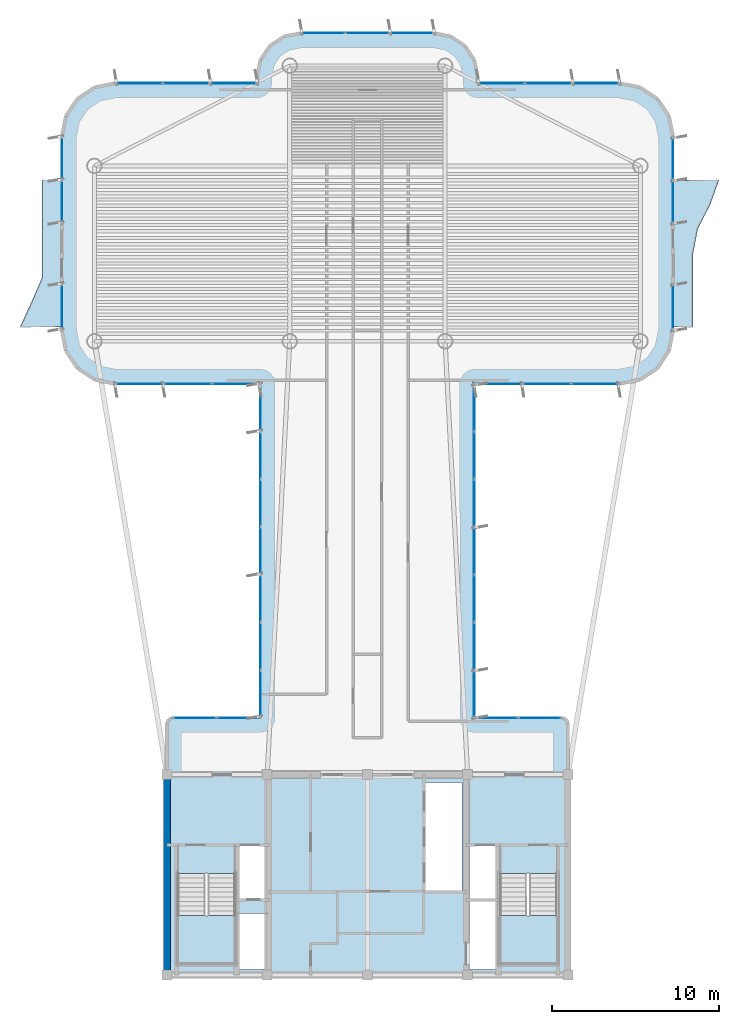
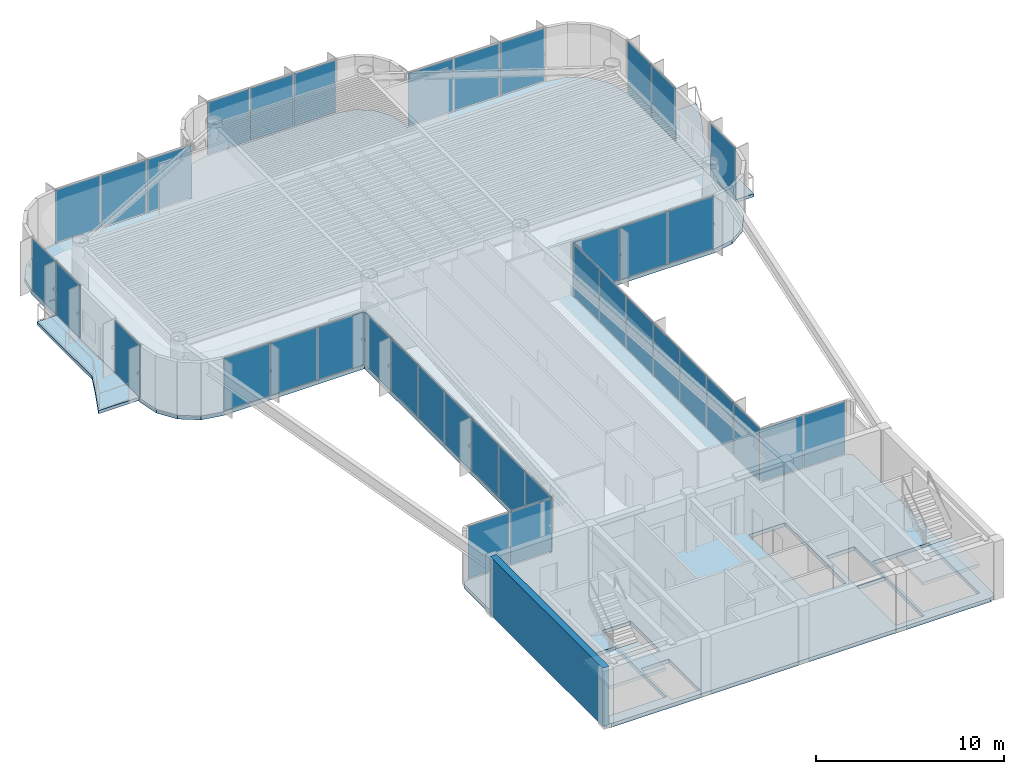
# One storey, part 9 of 14: 39 plates, 5 slabs, 1 wall, 15 elements without a shape of their own.
"""IFC4 building model written with IfcOpenShell, lengths in metres."""

from ifc_helpers import new_model, si_unit, direction, frame, frame_2d, origin, origin_2d, place, context, subcontext, project, spatial, polyline, rectangle, outline, extrude, source, transform, mapped, material, layer, layer_set, type_object, element, aggregate, save


model = new_model("IFC4")

# Units and contexts
model_context = context("Model", 3, precision=1e-05, world=origin(), true_north=direction((0.0, 1.0)))
body_context = subcontext(model_context, "Body", "Model", "MODEL_VIEW")
ifc_project = project(units=[si_unit("LENGTHUNIT", "METRE"), si_unit("AREAUNIT", "SQUARE_METRE"), si_unit("VOLUMEUNIT", "CUBIC_METRE"), si_unit("PLANEANGLEUNIT", "RADIAN"), si_unit("MASSUNIT", "GRAM", prefix="KILO")], contexts=[model_context])

# Site, building, storey
site_placement = place(None, origin())
site = spatial("IfcSite", under=ifc_project, at=site_placement, CompositionType="ELEMENT")
building_placement = place(site_placement, origin())
building = spatial("IfcBuilding", under=site, at=building_placement, Name="Brelvock Crest Care Tower", CompositionType="ELEMENT")
storey_placement = place(building_placement, frame((0.0, 0.0, 253.260009765625)))
storey = spatial("IfcBuildingStorey", under=building, at=storey_placement, Name="L64", CompositionType="ELEMENT", Elevation=253.260009765625)

# Slabs
ifc_material_1 = material(Name="Concrete N50 (50 MPa)", Category="concrete")
ifc_layer_1 = layer(ifc_material_1, 0.25, Name="SLB-FL3")
ifc_layer_set_1 = layer_set([ifc_layer_1], Name="Concrete N50 (50 MPa)")
slab_type_1 = type_object("IfcSlabType", Name="SLB-FL3", PredefinedType="FLOOR", material=ifc_layer_set_1)
slab_1_placement = place(storey_placement, frame((0.0, 0.0, -0.25)))
element("IfcSlab", 1, at=slab_1_placement, inside=storey, type_object=slab_type_1, Name="L64 Main Structural Slab", PredefinedType="FLOOR", context=body_context, shape_type="SweptSolid", body=[
    extrude(outline(polyline([(47.64990234375, 21.39990234375), (42.39990234375, 21.39990234375), (42.39990234375, 41.39990234375), (51.10009765625, 41.39990234375), (52.32470703125, 41.6435546875), (53.36279296875, 42.33740234375), (54.056396484375, 43.37548828125), (54.300048828125, 44.60009765625), (54.300048828125, 56.199951171875), (54.056396484375, 57.424560546875), (53.36279296875, 58.462646484375), (52.32470703125, 59.156494140625), (51.10009765625, 59.39990234375), (42.60009765625, 59.39990234375), (42.60009765625, 59.800048828125), (42.402099609375, 60.794921875), (41.83837890625, 61.638427734375), (40.9951171875, 62.2021484375), (40.0, 62.39990234375), (32.0, 62.39990234375), (31.0048828125, 62.2021484375), (30.16162109375, 61.638427734375), (29.597900390625, 60.794921875), (29.39990234375, 59.800048828125), (29.39990234375, 59.39990234375), (20.89990234375, 59.39990234375), (19.67529296875, 59.156494140625), (18.63720703125, 58.462646484375), (17.943603515625, 57.424560546875), (17.699951171875, 56.199951171875), (17.699951171875, 44.60009765625), (17.943603515625, 43.37548828125), (18.63720703125, 42.33740234375), (19.67529296875, 41.6435546875), (20.89990234375, 41.39990234375), (29.60009765625, 41.39990234375), (29.60009765625, 21.39990234375), (24.35009765625, 21.39990234375), (24.1025390625, 21.297607421875), (24.0, 21.050048828125), (24.0, 6.35009765625), (24.1025390625, 6.1025390625), (24.35009765625, 6.0), (47.64990234375, 6.0), (47.8974609375, 6.1025390625), (48.0, 6.35009765625), (48.0, 21.050048828125), (47.8974609375, 21.297607421875), (47.64990234375, 21.39990234375)]), holes=[polyline([(28.239990234375, 10.580078125), (29.97998046875, 10.580078125), (29.97998046875, 13.739990234375), (28.239990234375, 13.739990234375), (28.239990234375, 10.580078125)]), polyline([(42.02001953125, 10.580078125), (43.760009765625, 10.580078125), (43.760009765625, 13.739990234375), (42.02001953125, 13.739990234375), (42.02001953125, 10.580078125)]), polyline([(28.239990234375, 6.340087890625), (29.97998046875, 6.340087890625), (29.97998046875, 9.64990234375), (28.239990234375, 9.64990234375), (28.239990234375, 6.340087890625)]), polyline([(24.6298828125, 12.080078125), (24.6298828125, 6.699951171875), (28.110107421875, 6.699951171875), (28.110107421875, 12.080078125), (24.6298828125, 12.080078125)]), polyline([(43.889892578125, 12.080078125), (43.889892578125, 6.699951171875), (47.3701171875, 6.699951171875), (47.3701171875, 12.080078125), (43.889892578125, 12.080078125)]), polyline([(42.02001953125, 6.340087890625), (43.760009765625, 6.340087890625), (43.760009765625, 10.5), (42.02001953125, 10.5), (42.02001953125, 6.340087890625)]), polyline([(39.429931640625, 11.030029296875), (41.669921875, 11.030029296875), (41.669921875, 17.52001953125), (39.429931640625, 17.52001953125), (39.429931640625, 11.030029296875)])]), origin(), (0.0, 0.0, 1.0), 0.25),
])
ifc_layer_2 = layer(ifc_material_1, 0.199951171875, Name="SLB-WB2")
ifc_layer_set_2 = layer_set([ifc_layer_2], Name="Concrete N50 (50 MPa)")
slab_type_2 = type_object("IfcSlabType", Name="SLB-WB2", PredefinedType="FLOOR", material=ifc_layer_set_2)
slab_2_placement = place(storey_placement, frame((0.0, 0.0, -0.199951171875)))
element("IfcSlab", 2, at=slab_2_placement, inside=storey, type_object=slab_type_2, Name="L64 W Sinusoidal Wave Balcony Slab", PredefinedType="FLOOR", context=body_context, shape_type="SweptSolid", body=[
    extrude(outline(polyline([(17.699951171875, 53.60009765625), (16.5, 53.60009765625), (16.5, 52.13330078125), (16.5, 50.666748046875), (16.5, 49.199951171875), (16.5, 47.7333984375), (15.869384765625, 46.2666015625), (15.1953125, 44.800048828125), (17.699951171875, 44.800048828125), (17.699951171875, 53.60009765625)])), origin(), (0.0, 0.0, 1.0), 0.199951171875),
])
slab_3_placement = place(storey_placement, frame((0.0, 0.0, -0.199951171875)))
element("IfcSlab", 3, at=slab_3_placement, inside=storey, type_object=slab_type_2, Name="L64 E Sinusoidal Wave Balcony Slab", PredefinedType="FLOOR", context=body_context, shape_type="SweptSolid", body=[
    extrude(outline(polyline([(54.300048828125, 44.800048828125), (55.5, 44.800048828125), (55.5, 46.2666015625), (55.5, 47.7333984375), (55.5, 49.199951171875), (55.779296875, 50.666748046875), (56.52490234375, 52.13330078125), (57.052978515625, 53.60009765625), (54.300048828125, 53.60009765625), (54.300048828125, 44.800048828125)])), origin(), (0.0, 0.0, 1.0), 0.199951171875),
])

# Stair, slab
ifc_material_2 = material(Name="Concrete N40 (40 MPa)", Category="concrete")
stair_type = type_object("IfcStairType", Name="ST-CORE1", PredefinedType="HALF_TURN_STAIR", material=ifc_material_2)
stair_1_placement = place(storey_placement, origin())
stair_1 = element("IfcStair", 4, at=stair_1_placement, inside=storey, type_object=stair_type, Name="L64 Fire-Isolated Core Stair ST-1", PredefinedType="HALF_TURN_STAIR")
ifc_layer_3 = layer(ifc_material_2, 0.199951171875, Name="STL-1")
ifc_layer_set_3 = layer_set([ifc_layer_3], Name="Concrete N40 (40 MPa)")
slab_type_3 = type_object("IfcSlabType", Name="STL-1", PredefinedType="LANDING", material=ifc_layer_set_3)
slab_4_placement = place(storey_placement, frame((0.0, 0.0, 1.68994140625)))
slab_4 = element("IfcSlab", 5, at=slab_4_placement, type_object=slab_type_3, Name="ST-1 landing 1", PredefinedType="LANDING", context=body_context, shape_type="SweptSolid", body=[
    extrude(outline(polyline([(24.6298828125, 9.56005859375), (24.6298828125, 6.699951171875), (28.110107421875, 6.699951171875), (28.110107421875, 9.56005859375), (24.6298828125, 9.56005859375)])), origin(), (0.0, 0.0, 1.0), 0.199951171875),
])
aggregate(stair_1, [slab_4])

stair_2_placement = place(storey_placement, origin())
stair_2 = element("IfcStair", 6, at=stair_2_placement, inside=storey, type_object=stair_type, Name="L64 Fire-Isolated Core Stair ST-2", PredefinedType="HALF_TURN_STAIR")
slab_5_placement = place(storey_placement, frame((0.0, 0.0, 1.68994140625)))
slab_5 = element("IfcSlab", 7, at=slab_5_placement, type_object=slab_type_3, Name="ST-2 landing 1", PredefinedType="LANDING", context=body_context, shape_type="SweptSolid", body=[
    extrude(outline(polyline([(43.889892578125, 9.56005859375), (43.889892578125, 6.699951171875), (47.3701171875, 6.699951171875), (47.3701171875, 9.56005859375), (43.889892578125, 9.56005859375)])), origin(), (0.0, 0.0, 1.0), 0.199951171875),
])
aggregate(stair_2, [slab_5])

# Curtain wall, plates
ifc_material_3 = material(Name="Dark Glass Double Glazed Low-E", Category="glass")
ifc_layer_4 = layer(ifc_material_3, 0.239990234375, Name="CWS-5")
ifc_layer_set_4 = layer_set([ifc_layer_4], Name="Dark Glass Double Glazed Low-E")
curtain_wall_type = type_object("IfcCurtainWallType", Name="CWS-5", PredefinedType="NOTDEFINED", material=ifc_layer_set_4)
curtain_wall_1_placement = place(storey_placement, origin())
curtain_wall_1 = element("IfcCurtainWall", 8, at=curtain_wall_1_placement, inside=storey, type_object=curtain_wall_type, Name="L64 Curtain Wall E10", PredefinedType="NOTDEFINED")
ifc_layer_5 = layer(ifc_material_3, 0.0380859375, Name="CWP-V2")
ifc_layer_set_5 = layer_set([ifc_layer_5], Name="Dark Glass Double Glazed Low-E")
plate_type = type_object("IfcPlateType", Name="CWP-V2", PredefinedType="CURTAIN_PANEL", material=ifc_layer_set_5)
shared_shape_1 = source(origin(), body_context, "Body", "SweptSolid", [
    extrude(rectangle(XDim=2.534912109375, YDim=0.035888671875, at=origin_2d()), origin(), (0.0, 0.0, 1.0), 3.409912109375),
])
plate_1_placement = place(storey_placement, frame((25.677490234375, 21.39990234375, 0.06005859375), z_axis=(0.0, 0.0, 1.0), x_axis=(1.0, 0.0, 0.0)))
plate_1 = element("IfcPlate", 9, at=plate_1_placement, type_object=plate_type, Name="CW-5 panel 1.1", PredefinedType="CURTAIN_PANEL", context=body_context, shape_type="MappedRepresentation", body=[
    mapped(shared_shape_1, transform((0.0, 0.0, 0.0), x_axis=(1.0, 0.0, 0.0), y_axis=(0.0, 1.0, 0.0), z_axis=(0.0, 0.0, 1.0), scale=1.0)),
])
plate_2_placement = place(storey_placement, frame((28.2724609375, 21.39990234375, 0.06005859375), z_axis=(0.0, 0.0, 1.0), x_axis=(1.0, 0.0, 0.0)))
plate_2 = element("IfcPlate", 10, at=plate_2_placement, type_object=plate_type, Name="CW-5 panel 2.1", PredefinedType="CURTAIN_PANEL", context=body_context, shape_type="MappedRepresentation", body=[
    mapped(shared_shape_1, transform((0.0, 0.0, 0.0), x_axis=(1.0, 0.0, 0.0), y_axis=(0.0, 1.0, 0.0), z_axis=(0.0, 0.0, 1.0), scale=1.0)),
])
aggregate(curtain_wall_1, [plate_1, plate_2])

curtain_wall_2_placement = place(storey_placement, origin())
curtain_wall_2 = element("IfcCurtainWall", 11, at=curtain_wall_2_placement, inside=storey, type_object=curtain_wall_type, Name="L64 Curtain Wall E46", PredefinedType="NOTDEFINED")
plate_3_placement = place(storey_placement, frame((43.7275390625, 21.39990234375, 0.06005859375), z_axis=(0.0, 0.0, 1.0), x_axis=(1.0, 0.0, 0.0)))
plate_3 = element("IfcPlate", 12, at=plate_3_placement, type_object=plate_type, Name="CW-5 panel 1.1", PredefinedType="CURTAIN_PANEL", context=body_context, shape_type="MappedRepresentation", body=[
    mapped(shared_shape_1, transform((0.0, 0.0, 0.0), x_axis=(1.0, 0.0, 0.0), y_axis=(0.0, 1.0, 0.0), z_axis=(0.0, 0.0, 1.0), scale=1.0)),
])
plate_4_placement = place(storey_placement, frame((46.322509765625, 21.39990234375, 0.06005859375), z_axis=(0.0, 0.0, 1.0), x_axis=(1.0, 0.0, 0.0)))
plate_4 = element("IfcPlate", 13, at=plate_4_placement, type_object=plate_type, Name="CW-5 panel 2.1", PredefinedType="CURTAIN_PANEL", context=body_context, shape_type="MappedRepresentation", body=[
    mapped(shared_shape_1, transform((0.0, 0.0, 0.0), x_axis=(1.0, 0.0, 0.0), y_axis=(0.0, 1.0, 0.0), z_axis=(0.0, 0.0, 1.0), scale=1.0)),
])
aggregate(curtain_wall_2, [plate_3, plate_4])

curtain_wall_3_placement = place(storey_placement, origin())
curtain_wall_3 = element("IfcCurtainWall", 14, at=curtain_wall_3_placement, inside=storey, type_object=curtain_wall_type, Name="L64 Curtain Wall E17B", PredefinedType="NOTDEFINED")
shared_shape_2 = source(origin(), body_context, "Body", "SweptSolid", [
    extrude(rectangle(XDim=2.510009765625, YDim=0.035888671875, at=origin_2d()), origin(), (0.0, 0.0, 1.0), 3.409912109375),
])
plate_5_placement = place(storey_placement, frame((17.699951171875, 52.31494140625, 0.06005859375), z_axis=(0.0, 0.0, 1.0), x_axis=(0.0, 1.0, 0.0)))
plate_5 = element("IfcPlate", 15, at=plate_5_placement, type_object=plate_type, Name="CW-5 panel 1.1", PredefinedType="CURTAIN_PANEL", context=body_context, shape_type="MappedRepresentation", body=[
    mapped(shared_shape_2, transform((0.0, 0.0, 0.0), x_axis=(1.0, 0.0, 0.0), y_axis=(0.0, 1.0, 0.0), z_axis=(0.0, 0.0, 1.0), scale=1.0)),
])
plate_6_placement = place(storey_placement, frame((17.699951171875, 54.885009765625, 0.06005859375), z_axis=(0.0, 0.0, 1.0), x_axis=(0.0, 1.0, 0.0)))
plate_6 = element("IfcPlate", 16, at=plate_6_placement, type_object=plate_type, Name="CW-5 panel 2.1", PredefinedType="CURTAIN_PANEL", context=body_context, shape_type="MappedRepresentation", body=[
    mapped(shared_shape_2, transform((0.0, 0.0, 0.0), x_axis=(1.0, 0.0, 0.0), y_axis=(0.0, 1.0, 0.0), z_axis=(0.0, 0.0, 1.0), scale=1.0)),
])
aggregate(curtain_wall_3, [plate_5, plate_6])

curtain_wall_4_placement = place(storey_placement, origin())
curtain_wall_4 = element("IfcCurtainWall", 17, at=curtain_wall_4_placement, inside=storey, type_object=curtain_wall_type, Name="L64 Curtain Wall E39A", PredefinedType="NOTDEFINED")
plate_7_placement = place(storey_placement, frame((54.300048828125, 54.885009765625, 0.06005859375), z_axis=(0.0, 0.0, 1.0), x_axis=(0.0, -1.0, 0.0)))
plate_7 = element("IfcPlate", 18, at=plate_7_placement, type_object=plate_type, Name="CW-5 panel 1.1", PredefinedType="CURTAIN_PANEL", context=body_context, shape_type="MappedRepresentation", body=[
    mapped(shared_shape_2, transform((0.0, 0.0, 0.0), x_axis=(1.0, 0.0, 0.0), y_axis=(0.0, 1.0, 0.0), z_axis=(0.0, 0.0, 1.0), scale=1.0)),
])
plate_8_placement = place(storey_placement, frame((54.300048828125, 52.31494140625, 0.06005859375), z_axis=(0.0, 0.0, 1.0), x_axis=(0.0, -1.0, 0.0)))
plate_8 = element("IfcPlate", 19, at=plate_8_placement, type_object=plate_type, Name="CW-5 panel 2.1", PredefinedType="CURTAIN_PANEL", context=body_context, shape_type="MappedRepresentation", body=[
    mapped(shared_shape_2, transform((0.0, 0.0, 0.0), x_axis=(1.0, 0.0, 0.0), y_axis=(0.0, 1.0, 0.0), z_axis=(0.0, 0.0, 1.0), scale=1.0)),
])
aggregate(curtain_wall_4, [plate_7, plate_8])

curtain_wall_5_placement = place(storey_placement, origin())
curtain_wall_5 = element("IfcCurtainWall", 20, at=curtain_wall_5_placement, inside=storey, type_object=curtain_wall_type, Name="L64 Curtain Wall E11", PredefinedType="NOTDEFINED")
shared_shape_3 = source(origin(), body_context, "Body", "SweptSolid", [
    extrude(rectangle(XDim=2.76708984375, YDim=0.035888671875, at=origin_2d()), origin(), (0.0, 0.0, 1.0), 3.409912109375),
])
plate_9_placement = place(storey_placement, frame((29.60009765625, 22.843505859375, 0.06005859375), z_axis=(0.0, 0.0, 1.0), x_axis=(0.0, 1.0, 0.0)))
plate_9 = element("IfcPlate", 21, at=plate_9_placement, type_object=plate_type, Name="CW-5 panel 1.1", PredefinedType="CURTAIN_PANEL", context=body_context, shape_type="MappedRepresentation", body=[
    mapped(shared_shape_3, transform((0.0, 0.0, 0.0), x_axis=(1.0, 0.0, 0.0), y_axis=(0.0, 1.0, 0.0), z_axis=(0.0, 0.0, 1.0), scale=1.0)),
])
plate_10_placement = place(storey_placement, frame((29.60009765625, 39.95654296875, 0.06005859375), z_axis=(0.0, 0.0, 1.0), x_axis=(0.0, 1.0, 0.0)))
plate_10 = element("IfcPlate", 22, at=plate_10_placement, type_object=plate_type, Name="CW-5 panel 7.1", PredefinedType="CURTAIN_PANEL", context=body_context, shape_type="MappedRepresentation", body=[
    mapped(shared_shape_3, transform((0.0, 0.0, 0.0), x_axis=(1.0, 0.0, 0.0), y_axis=(0.0, 1.0, 0.0), z_axis=(0.0, 0.0, 1.0), scale=1.0)),
])

curtain_wall_6_placement = place(storey_placement, origin())
curtain_wall_6 = element("IfcCurtainWall", 23, at=curtain_wall_6_placement, inside=storey, type_object=curtain_wall_type, Name="L64 Curtain Wall E45", PredefinedType="NOTDEFINED")
plate_11_placement = place(storey_placement, frame((42.39990234375, 39.95654296875, 0.06005859375), z_axis=(0.0, 0.0, 1.0), x_axis=(0.0, -1.0, 0.0)))
plate_11 = element("IfcPlate", 24, at=plate_11_placement, type_object=plate_type, Name="CW-5 panel 1.1", PredefinedType="CURTAIN_PANEL", context=body_context, shape_type="MappedRepresentation", body=[
    mapped(shared_shape_3, transform((0.0, 0.0, 0.0), x_axis=(1.0, 0.0, 0.0), y_axis=(0.0, 1.0, 0.0), z_axis=(0.0, 0.0, 1.0), scale=1.0)),
])
plate_12_placement = place(storey_placement, frame((42.39990234375, 22.843505859375, 0.06005859375), z_axis=(0.0, 0.0, 1.0), x_axis=(0.0, -1.0, 0.0)))
plate_12 = element("IfcPlate", 25, at=plate_12_placement, type_object=plate_type, Name="CW-5 panel 7.1", PredefinedType="CURTAIN_PANEL", context=body_context, shape_type="MappedRepresentation", body=[
    mapped(shared_shape_3, transform((0.0, 0.0, 0.0), x_axis=(1.0, 0.0, 0.0), y_axis=(0.0, 1.0, 0.0), z_axis=(0.0, 0.0, 1.0), scale=1.0)),
])

# Plate
shared_shape_4 = source(origin(), body_context, "Body", "SweptSolid", [
    extrude(rectangle(XDim=2.797119140625, YDim=0.035888671875, at=origin_2d()), origin(), (0.0, 0.0, 1.0), 3.409912109375),
])
plate_13_placement = place(storey_placement, frame((29.60009765625, 25.685791015625, 0.06005859375), z_axis=(0.0, 0.0, 1.0), x_axis=(0.0, 1.0, 0.0)))
plate_13 = element("IfcPlate", 26, at=plate_13_placement, type_object=plate_type, Name="CW-5 panel 2.1", PredefinedType="CURTAIN_PANEL", context=body_context, shape_type="MappedRepresentation", body=[
    mapped(shared_shape_4, transform((0.0, 0.0, 0.0), x_axis=(1.0, 0.0, 0.0), y_axis=(0.0, 1.0, 0.0), z_axis=(0.0, 0.0, 1.0), scale=1.0)),
])

plate_14_placement = place(storey_placement, frame((29.60009765625, 28.54296875, 0.06005859375), z_axis=(0.0, 0.0, 1.0), x_axis=(0.0, 1.0, 0.0)))
plate_14 = element("IfcPlate", 27, at=plate_14_placement, type_object=plate_type, Name="CW-5 panel 3.1", PredefinedType="CURTAIN_PANEL", context=body_context, shape_type="MappedRepresentation", body=[
    mapped(shared_shape_4, transform((0.0, 0.0, 0.0), x_axis=(1.0, 0.0, 0.0), y_axis=(0.0, 1.0, 0.0), z_axis=(0.0, 0.0, 1.0), scale=1.0)),
])

plate_15_placement = place(storey_placement, frame((29.60009765625, 31.39990234375, 0.06005859375), z_axis=(0.0, 0.0, 1.0), x_axis=(0.0, 1.0, 0.0)))
plate_15 = element("IfcPlate", 28, at=plate_15_placement, type_object=plate_type, Name="CW-5 panel 4.1", PredefinedType="CURTAIN_PANEL", context=body_context, shape_type="MappedRepresentation", body=[
    mapped(shared_shape_4, transform((0.0, 0.0, 0.0), x_axis=(1.0, 0.0, 0.0), y_axis=(0.0, 1.0, 0.0), z_axis=(0.0, 0.0, 1.0), scale=1.0)),
])

plate_16_placement = place(storey_placement, frame((29.60009765625, 34.257080078125, 0.06005859375), z_axis=(0.0, 0.0, 1.0), x_axis=(0.0, 1.0, 0.0)))
plate_16 = element("IfcPlate", 29, at=plate_16_placement, type_object=plate_type, Name="CW-5 panel 5.1", PredefinedType="CURTAIN_PANEL", context=body_context, shape_type="MappedRepresentation", body=[
    mapped(shared_shape_4, transform((0.0, 0.0, 0.0), x_axis=(1.0, 0.0, 0.0), y_axis=(0.0, 1.0, 0.0), z_axis=(0.0, 0.0, 1.0), scale=1.0)),
])

plate_17_placement = place(storey_placement, frame((29.60009765625, 37.1142578125, 0.06005859375), z_axis=(0.0, 0.0, 1.0), x_axis=(0.0, 1.0, 0.0)))
plate_17 = element("IfcPlate", 30, at=plate_17_placement, type_object=plate_type, Name="CW-5 panel 6.1", PredefinedType="CURTAIN_PANEL", context=body_context, shape_type="MappedRepresentation", body=[
    mapped(shared_shape_4, transform((0.0, 0.0, 0.0), x_axis=(1.0, 0.0, 0.0), y_axis=(0.0, 1.0, 0.0), z_axis=(0.0, 0.0, 1.0), scale=1.0)),
])

aggregate(curtain_wall_5, [plate_9, plate_13, plate_14, plate_15, plate_16, plate_17, plate_10])

plate_18_placement = place(storey_placement, frame((42.39990234375, 37.1142578125, 0.06005859375), z_axis=(0.0, 0.0, 1.0), x_axis=(0.0, -1.0, 0.0)))
plate_18 = element("IfcPlate", 31, at=plate_18_placement, type_object=plate_type, Name="CW-5 panel 2.1", PredefinedType="CURTAIN_PANEL", context=body_context, shape_type="MappedRepresentation", body=[
    mapped(shared_shape_4, transform((0.0, 0.0, 0.0), x_axis=(1.0, 0.0, 0.0), y_axis=(0.0, 1.0, 0.0), z_axis=(0.0, 0.0, 1.0), scale=1.0)),
])

plate_19_placement = place(storey_placement, frame((42.39990234375, 34.257080078125, 0.06005859375), z_axis=(0.0, 0.0, 1.0), x_axis=(0.0, -1.0, 0.0)))
plate_19 = element("IfcPlate", 32, at=plate_19_placement, type_object=plate_type, Name="CW-5 panel 3.1", PredefinedType="CURTAIN_PANEL", context=body_context, shape_type="MappedRepresentation", body=[
    mapped(shared_shape_4, transform((0.0, 0.0, 0.0), x_axis=(1.0, 0.0, 0.0), y_axis=(0.0, 1.0, 0.0), z_axis=(0.0, 0.0, 1.0), scale=1.0)),
])

plate_20_placement = place(storey_placement, frame((42.39990234375, 31.39990234375, 0.06005859375), z_axis=(0.0, 0.0, 1.0), x_axis=(0.0, -1.0, 0.0)))
plate_20 = element("IfcPlate", 33, at=plate_20_placement, type_object=plate_type, Name="CW-5 panel 4.1", PredefinedType="CURTAIN_PANEL", context=body_context, shape_type="MappedRepresentation", body=[
    mapped(shared_shape_4, transform((0.0, 0.0, 0.0), x_axis=(1.0, 0.0, 0.0), y_axis=(0.0, 1.0, 0.0), z_axis=(0.0, 0.0, 1.0), scale=1.0)),
])

plate_21_placement = place(storey_placement, frame((42.39990234375, 28.54296875, 0.06005859375), z_axis=(0.0, 0.0, 1.0), x_axis=(0.0, -1.0, 0.0)))
plate_21 = element("IfcPlate", 34, at=plate_21_placement, type_object=plate_type, Name="CW-5 panel 5.1", PredefinedType="CURTAIN_PANEL", context=body_context, shape_type="MappedRepresentation", body=[
    mapped(shared_shape_4, transform((0.0, 0.0, 0.0), x_axis=(1.0, 0.0, 0.0), y_axis=(0.0, 1.0, 0.0), z_axis=(0.0, 0.0, 1.0), scale=1.0)),
])

plate_22_placement = place(storey_placement, frame((42.39990234375, 25.685791015625, 0.06005859375), z_axis=(0.0, 0.0, 1.0), x_axis=(0.0, -1.0, 0.0)))
plate_22 = element("IfcPlate", 35, at=plate_22_placement, type_object=plate_type, Name="CW-5 panel 6.1", PredefinedType="CURTAIN_PANEL", context=body_context, shape_type="MappedRepresentation", body=[
    mapped(shared_shape_4, transform((0.0, 0.0, 0.0), x_axis=(1.0, 0.0, 0.0), y_axis=(0.0, 1.0, 0.0), z_axis=(0.0, 0.0, 1.0), scale=1.0)),
])

aggregate(curtain_wall_6, [plate_11, plate_18, plate_19, plate_20, plate_21, plate_22, plate_12])

# Curtain wall, plates
curtain_wall_7_placement = place(storey_placement, origin())
curtain_wall_7 = element("IfcCurtainWall", 36, at=curtain_wall_7_placement, inside=storey, type_object=curtain_wall_type, Name="L64 Curtain Wall E12", PredefinedType="NOTDEFINED")
shared_shape_5 = source(origin(), body_context, "Body", "SweptSolid", [
    extrude(rectangle(XDim=2.81005859375, YDim=0.035888671875, at=origin_2d()), origin(), (0.0, 0.0, 1.0), 3.409912109375),
])
plate_23_placement = place(storey_placement, frame((28.135009765625, 41.39990234375, 0.06005859375), z_axis=(0.0, 0.0, 1.0), x_axis=(-1.0, 0.0, 0.0)))
plate_23 = element("IfcPlate", 37, at=plate_23_placement, type_object=plate_type, Name="CW-5 panel 1.1", PredefinedType="CURTAIN_PANEL", context=body_context, shape_type="MappedRepresentation", body=[
    mapped(shared_shape_5, transform((0.0, 0.0, 0.0), x_axis=(1.0, 0.0, 0.0), y_axis=(0.0, 1.0, 0.0), z_axis=(0.0, 0.0, 1.0), scale=1.0)),
])
plate_24_placement = place(storey_placement, frame((22.364990234375, 41.39990234375, 0.06005859375), z_axis=(0.0, 0.0, 1.0), x_axis=(-1.0, 0.0, 0.0)))
plate_24 = element("IfcPlate", 38, at=plate_24_placement, type_object=plate_type, Name="CW-5 panel 3.1", PredefinedType="CURTAIN_PANEL", context=body_context, shape_type="MappedRepresentation", body=[
    mapped(shared_shape_5, transform((0.0, 0.0, 0.0), x_axis=(1.0, 0.0, 0.0), y_axis=(0.0, 1.0, 0.0), z_axis=(0.0, 0.0, 1.0), scale=1.0)),
])

curtain_wall_8_placement = place(storey_placement, origin())
curtain_wall_8 = element("IfcCurtainWall", 39, at=curtain_wall_8_placement, inside=storey, type_object=curtain_wall_type, Name="L64 Curtain Wall E44", PredefinedType="NOTDEFINED")
plate_25_placement = place(storey_placement, frame((49.635009765625, 41.39990234375, 0.06005859375), z_axis=(0.0, 0.0, 1.0), x_axis=(-1.0, 0.0, 0.0)))
plate_25 = element("IfcPlate", 40, at=plate_25_placement, type_object=plate_type, Name="CW-5 panel 1.1", PredefinedType="CURTAIN_PANEL", context=body_context, shape_type="MappedRepresentation", body=[
    mapped(shared_shape_5, transform((0.0, 0.0, 0.0), x_axis=(1.0, 0.0, 0.0), y_axis=(0.0, 1.0, 0.0), z_axis=(0.0, 0.0, 1.0), scale=1.0)),
])
plate_26_placement = place(storey_placement, frame((43.864990234375, 41.39990234375, 0.06005859375), z_axis=(0.0, 0.0, 1.0), x_axis=(-1.0, 0.0, 0.0)))
plate_26 = element("IfcPlate", 41, at=plate_26_placement, type_object=plate_type, Name="CW-5 panel 3.1", PredefinedType="CURTAIN_PANEL", context=body_context, shape_type="MappedRepresentation", body=[
    mapped(shared_shape_5, transform((0.0, 0.0, 0.0), x_axis=(1.0, 0.0, 0.0), y_axis=(0.0, 1.0, 0.0), z_axis=(0.0, 0.0, 1.0), scale=1.0)),
])

# Plate
shared_shape_6 = source(origin(), body_context, "Body", "SweptSolid", [
    extrude(rectangle(XDim=2.840087890625, YDim=0.035888671875, at=origin_2d()), origin(), (0.0, 0.0, 1.0), 3.409912109375),
])
plate_27_placement = place(storey_placement, frame((25.25, 41.39990234375, 0.06005859375), z_axis=(0.0, 0.0, 1.0), x_axis=(-1.0, 0.0, 0.0)))
plate_27 = element("IfcPlate", 42, at=plate_27_placement, type_object=plate_type, Name="CW-5 panel 2.1", PredefinedType="CURTAIN_PANEL", context=body_context, shape_type="MappedRepresentation", body=[
    mapped(shared_shape_6, transform((0.0, 0.0, 0.0), x_axis=(1.0, 0.0, 0.0), y_axis=(0.0, 1.0, 0.0), z_axis=(0.0, 0.0, 1.0), scale=1.0)),
])

aggregate(curtain_wall_7, [plate_23, plate_27, plate_24])

plate_28_placement = place(storey_placement, frame((46.75, 41.39990234375, 0.06005859375), z_axis=(0.0, 0.0, 1.0), x_axis=(-1.0, 0.0, 0.0)))
plate_28 = element("IfcPlate", 43, at=plate_28_placement, type_object=plate_type, Name="CW-5 panel 2.1", PredefinedType="CURTAIN_PANEL", context=body_context, shape_type="MappedRepresentation", body=[
    mapped(shared_shape_6, transform((0.0, 0.0, 0.0), x_axis=(1.0, 0.0, 0.0), y_axis=(0.0, 1.0, 0.0), z_axis=(0.0, 0.0, 1.0), scale=1.0)),
])

aggregate(curtain_wall_8, [plate_25, plate_28, plate_26])

# Curtain wall, plates
curtain_wall_9_placement = place(storey_placement, origin())
curtain_wall_9 = element("IfcCurtainWall", 44, at=curtain_wall_9_placement, inside=storey, type_object=curtain_wall_type, Name="L64 Curtain Wall E22", PredefinedType="NOTDEFINED")
shared_shape_7 = source(origin(), body_context, "Body", "SweptSolid", [
    extrude(rectangle(XDim=2.743408203125, YDim=0.035888671875, at=origin_2d()), origin(), (0.0, 0.0, 1.0), 3.409912109375),
])
plate_29_placement = place(storey_placement, frame((22.331787109375, 59.39990234375, 0.06005859375), z_axis=(0.0, 0.0, 1.0), x_axis=(1.0, 0.0, 0.0)))
plate_29 = element("IfcPlate", 45, at=plate_29_placement, type_object=plate_type, Name="CW-5 panel 1.1", PredefinedType="CURTAIN_PANEL", context=body_context, shape_type="MappedRepresentation", body=[
    mapped(shared_shape_7, transform((0.0, 0.0, 0.0), x_axis=(1.0, 0.0, 0.0), y_axis=(0.0, 1.0, 0.0), z_axis=(0.0, 0.0, 1.0), scale=1.0)),
])
plate_30_placement = place(storey_placement, frame((27.96826171875, 59.39990234375, 0.06005859375), z_axis=(0.0, 0.0, 1.0), x_axis=(1.0, 0.0, 0.0)))
plate_30 = element("IfcPlate", 46, at=plate_30_placement, type_object=plate_type, Name="CW-5 panel 3.1", PredefinedType="CURTAIN_PANEL", context=body_context, shape_type="MappedRepresentation", body=[
    mapped(shared_shape_7, transform((0.0, 0.0, 0.0), x_axis=(1.0, 0.0, 0.0), y_axis=(0.0, 1.0, 0.0), z_axis=(0.0, 0.0, 1.0), scale=1.0)),
])

curtain_wall_10_placement = place(storey_placement, origin())
curtain_wall_10 = element("IfcCurtainWall", 47, at=curtain_wall_10_placement, inside=storey, type_object=curtain_wall_type, Name="L64 Curtain Wall E34", PredefinedType="NOTDEFINED")
plate_31_placement = place(storey_placement, frame((44.03173828125, 59.39990234375, 0.06005859375), z_axis=(0.0, 0.0, 1.0), x_axis=(1.0, 0.0, 0.0)))
plate_31 = element("IfcPlate", 48, at=plate_31_placement, type_object=plate_type, Name="CW-5 panel 1.1", PredefinedType="CURTAIN_PANEL", context=body_context, shape_type="MappedRepresentation", body=[
    mapped(shared_shape_7, transform((0.0, 0.0, 0.0), x_axis=(1.0, 0.0, 0.0), y_axis=(0.0, 1.0, 0.0), z_axis=(0.0, 0.0, 1.0), scale=1.0)),
])
plate_32_placement = place(storey_placement, frame((49.668212890625, 59.39990234375, 0.06005859375), z_axis=(0.0, 0.0, 1.0), x_axis=(1.0, 0.0, 0.0)))
plate_32 = element("IfcPlate", 49, at=plate_32_placement, type_object=plate_type, Name="CW-5 panel 3.1", PredefinedType="CURTAIN_PANEL", context=body_context, shape_type="MappedRepresentation", body=[
    mapped(shared_shape_7, transform((0.0, 0.0, 0.0), x_axis=(1.0, 0.0, 0.0), y_axis=(0.0, 1.0, 0.0), z_axis=(0.0, 0.0, 1.0), scale=1.0)),
])

# Plate
shared_shape_8 = source(origin(), body_context, "Body", "SweptSolid", [
    extrude(rectangle(XDim=2.7734375, YDim=0.035888671875, at=origin_2d()), origin(), (0.0, 0.0, 1.0), 3.409912109375),
])
plate_33_placement = place(storey_placement, frame((25.14990234375, 59.39990234375, 0.06005859375), z_axis=(0.0, 0.0, 1.0), x_axis=(1.0, 0.0, 0.0)))
plate_33 = element("IfcPlate", 50, at=plate_33_placement, type_object=plate_type, Name="CW-5 panel 2.1", PredefinedType="CURTAIN_PANEL", context=body_context, shape_type="MappedRepresentation", body=[
    mapped(shared_shape_8, transform((0.0, 0.0, 0.0), x_axis=(1.0, 0.0, 0.0), y_axis=(0.0, 1.0, 0.0), z_axis=(0.0, 0.0, 1.0), scale=1.0)),
])

aggregate(curtain_wall_9, [plate_29, plate_33, plate_30])

plate_34_placement = place(storey_placement, frame((46.85009765625, 59.39990234375, 0.06005859375), z_axis=(0.0, 0.0, 1.0), x_axis=(1.0, 0.0, 0.0)))
plate_34 = element("IfcPlate", 51, at=plate_34_placement, type_object=plate_type, Name="CW-5 panel 2.1", PredefinedType="CURTAIN_PANEL", context=body_context, shape_type="MappedRepresentation", body=[
    mapped(shared_shape_8, transform((0.0, 0.0, 0.0), x_axis=(1.0, 0.0, 0.0), y_axis=(0.0, 1.0, 0.0), z_axis=(0.0, 0.0, 1.0), scale=1.0)),
])

aggregate(curtain_wall_10, [plate_31, plate_34, plate_32])

# Curtain wall, plates
curtain_wall_11_placement = place(storey_placement, origin())
curtain_wall_11 = element("IfcCurtainWall", 52, at=curtain_wall_11_placement, inside=storey, type_object=curtain_wall_type, Name="L64 Curtain Wall E28", PredefinedType="NOTDEFINED")
shared_shape_9 = source(origin(), body_context, "Body", "SweptSolid", [
    extrude(rectangle(XDim=2.57666015625, YDim=0.035888671875, at=origin_2d()), origin(), (0.0, 0.0, 1.0), 3.409912109375),
])
plate_35_placement = place(storey_placement, frame((33.348388671875, 62.39990234375, 0.06005859375), z_axis=(0.0, 0.0, 1.0), x_axis=(1.0, 0.0, 0.0)))
plate_35 = element("IfcPlate", 53, at=plate_35_placement, type_object=plate_type, Name="CW-5 panel 1.1", PredefinedType="CURTAIN_PANEL", context=body_context, shape_type="MappedRepresentation", body=[
    mapped(shared_shape_9, transform((0.0, 0.0, 0.0), x_axis=(1.0, 0.0, 0.0), y_axis=(0.0, 1.0, 0.0), z_axis=(0.0, 0.0, 1.0), scale=1.0)),
])
plate_36_placement = place(storey_placement, frame((38.651611328125, 62.39990234375, 0.06005859375), z_axis=(0.0, 0.0, 1.0), x_axis=(1.0, 0.0, 0.0)))
plate_36 = element("IfcPlate", 54, at=plate_36_placement, type_object=plate_type, Name="CW-5 panel 3.1", PredefinedType="CURTAIN_PANEL", context=body_context, shape_type="MappedRepresentation", body=[
    mapped(shared_shape_9, transform((0.0, 0.0, 0.0), x_axis=(1.0, 0.0, 0.0), y_axis=(0.0, 1.0, 0.0), z_axis=(0.0, 0.0, 1.0), scale=1.0)),
])
shared_shape_10 = source(origin(), body_context, "Body", "SweptSolid", [
    extrude(rectangle(XDim=2.606689453125, YDim=0.035888671875, at=origin_2d()), origin(), (0.0, 0.0, 1.0), 3.409912109375),
])
plate_37_placement = place(storey_placement, frame((36.0, 62.39990234375, 0.06005859375), z_axis=(0.0, 0.0, 1.0), x_axis=(1.0, 0.0, 0.0)))
plate_37 = element("IfcPlate", 55, at=plate_37_placement, type_object=plate_type, Name="CW-5 panel 2.1", PredefinedType="CURTAIN_PANEL", context=body_context, shape_type="MappedRepresentation", body=[
    mapped(shared_shape_10, transform((0.0, 0.0, 0.0), x_axis=(1.0, 0.0, 0.0), y_axis=(0.0, 1.0, 0.0), z_axis=(0.0, 0.0, 1.0), scale=1.0)),
])
aggregate(curtain_wall_11, [plate_35, plate_37, plate_36])

# Curtain wall, plate
curtain_wall_12_placement = place(storey_placement, origin())
curtain_wall_12 = element("IfcCurtainWall", 56, at=curtain_wall_12_placement, inside=storey, type_object=curtain_wall_type, Name="L64 Curtain Wall E17A", PredefinedType="NOTDEFINED")
shared_shape_11 = source(origin(), body_context, "Body", "SweptSolid", [
    extrude(rectangle(XDim=2.679931640625, YDim=0.035888671875, at=origin_2d()), origin(), (0.0, 0.0, 1.0), 3.409912109375),
])
plate_38_placement = place(storey_placement, frame((17.699951171875, 46.0, 0.06005859375), z_axis=(0.0, 0.0, 1.0), x_axis=(0.0, 1.0, 0.0)))
plate_38 = element("IfcPlate", 57, at=plate_38_placement, type_object=plate_type, Name="CW-5 panel 1.1", PredefinedType="CURTAIN_PANEL", context=body_context, shape_type="MappedRepresentation", body=[
    mapped(shared_shape_11, transform((0.0, 0.0, 0.0), x_axis=(1.0, 0.0, 0.0), y_axis=(0.0, 1.0, 0.0), z_axis=(0.0, 0.0, 1.0), scale=1.0)),
])
aggregate(curtain_wall_12, [plate_38])

curtain_wall_13_placement = place(storey_placement, origin())
curtain_wall_13 = element("IfcCurtainWall", 58, at=curtain_wall_13_placement, inside=storey, type_object=curtain_wall_type, Name="L64 Curtain Wall E39B", PredefinedType="NOTDEFINED")
plate_39_placement = place(storey_placement, frame((54.300048828125, 46.0, 0.06005859375), z_axis=(0.0, 0.0, 1.0), x_axis=(0.0, -1.0, 0.0)))
plate_39 = element("IfcPlate", 59, at=plate_39_placement, type_object=plate_type, Name="CW-5 panel 1.1", PredefinedType="CURTAIN_PANEL", context=body_context, shape_type="MappedRepresentation", body=[
    mapped(shared_shape_11, transform((0.0, 0.0, 0.0), x_axis=(1.0, 0.0, 0.0), y_axis=(0.0, 1.0, 0.0), z_axis=(0.0, 0.0, 1.0), scale=1.0)),
])
aggregate(curtain_wall_13, [plate_39])

# Wall
ifc_material_4 = material(Name="Concrete S65 (65 MPa)", Category="concrete")
ifc_layer_6 = layer(ifc_material_4, 0.39990234375, Name="WL-CS4")
ifc_layer_set_6 = layer_set([ifc_layer_6], Name="Concrete S65 (65 MPa)")
wall_type = type_object("IfcWallType", Name="WL-CS4", PredefinedType="SHEAR", material=ifc_layer_set_6)
wall_placement = place(storey_placement, frame((24.0, 6.0, 0.0), z_axis=(0.0, 0.0, 1.0), x_axis=(0.0, 1.0, 0.0)))
element("IfcWall", 60, at=wall_placement, inside=storey, type_object=wall_type, Name="L64 Core West Shear Wall", PredefinedType="SHEAR", context=body_context, shape_type="SweptSolid", body=[
    extrude(rectangle(XDim=12.0, YDim=0.39990234375, at=frame_2d((6.0, 0.0))), origin(), (0.0, 0.0, 1.0), 3.780029296875),
])

save(model, "model.ifc")
